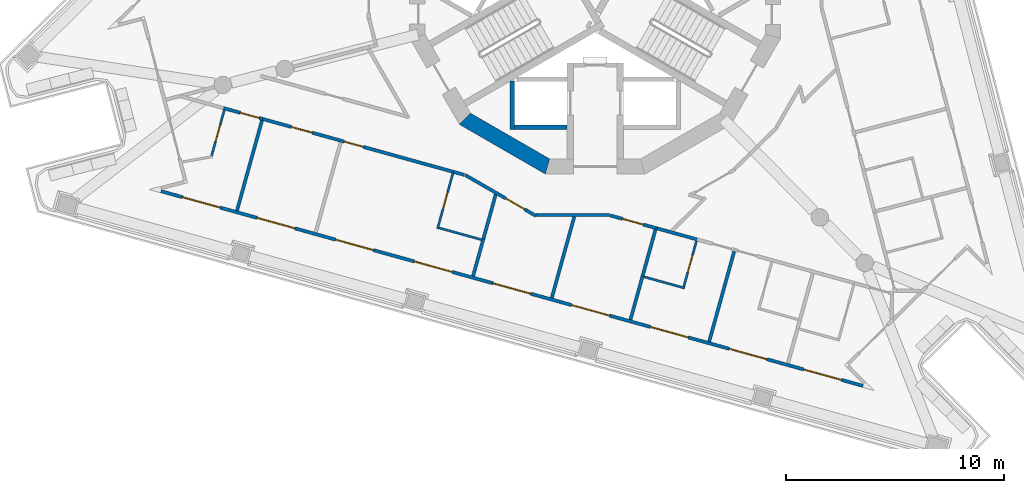
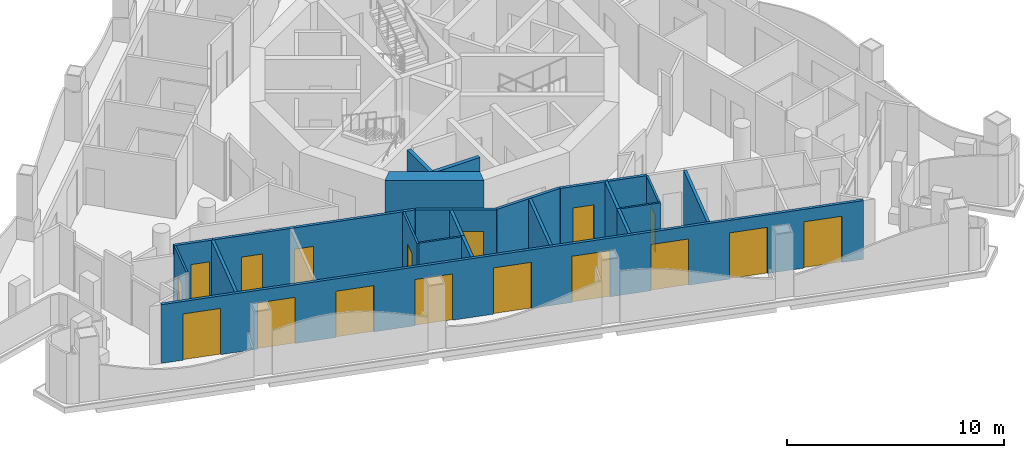
# One storey, part 2 of 14: 23 walls, 17 doors, 17 openings.
"""IFC4 building model written with IfcOpenShell, lengths in metres."""

from ifc_helpers import new_model, si_unit, direction, frame, frame_2d, origin, place, context, subcontext, project, spatial, polyline, rectangle, outline, extrude, material, layer, layer_set, type_object, element, fill, save


model = new_model("IFC4")

# Units and contexts
model_context = context("Model", 3, precision=1e-05, world=origin(), true_north=direction((0.0, 1.0)))
body_context = subcontext(model_context, "Body", "Model", "MODEL_VIEW")
ifc_project = project(units=[si_unit("LENGTHUNIT", "METRE"), si_unit("AREAUNIT", "SQUARE_METRE"), si_unit("VOLUMEUNIT", "CUBIC_METRE"), si_unit("PLANEANGLEUNIT", "RADIAN"), si_unit("MASSUNIT", "GRAM", prefix="KILO")], contexts=[model_context])

# Site, building, storey
site_placement = place(None, origin())
site = spatial("IfcSite", under=ifc_project, at=site_placement, CompositionType="ELEMENT")
building_placement = place(site_placement, origin())
building = spatial("IfcBuilding", under=site, at=building_placement, Name="Trine Commons Tower", CompositionType="ELEMENT")
storey_placement = place(building_placement, frame((0.0, 0.0, 249.300048828125)))
storey = spatial("IfcBuildingStorey", under=building, at=storey_placement, Name="L65", CompositionType="ELEMENT", Elevation=249.300048828125)

# Wall, openings, doors
ifc_material_1 = material(Name="Aluminium-framed insulated wall panel", Category="aluminium")
ifc_layer_1 = layer(ifc_material_1, 0.14990234375)
ifc_layer_set_1 = layer_set([ifc_layer_1], Name="Aluminium-framed insulated wall panel")
wall_type_1 = type_object("IfcWallType", Name="Glazed frame wall 150, EI 60", PredefinedType="SOLIDWALL", material=ifc_layer_set_1)
wall_1_placement = place(storey_placement, frame((92.4189453125, 44.2548828125, 0.0), z_axis=(0.0, 0.0, 1.0), x_axis=(-0.963630586427, 0.267237895708, 0.0)))
wall_1 = element("IfcWall", 1, at=wall_1_placement, inside=storey, type_object=wall_type_1, Name="Glazed frame wall F3", PredefinedType="SOLIDWALL", context=body_context, shape_type="SweptSolid", body=[
    extrude(outline(polyline([(0.1494140625, 0.074951171875), (0.1494140625, -0.074951171875), (33.536865234375, -0.074951171875), (33.536865234375, 0.074951171875), (0.1494140625, 0.074951171875)])), origin(), (0.0, 0.0, 1.0), 3.300048828125),
])
opening_1_placement = place(wall_1_placement, frame((1.17138671875, 0.0, 0.0)))
opening_1 = element("IfcOpeningElement", 2, at=opening_1_placement, cuts=wall_1, Name="Opening BD-7F3-01", PredefinedType="OPENING", context=body_context, shape_type="SweptSolid", body=[
    extrude(rectangle(XDim=1.800048828125, YDim=2.60009765625, at=frame_2d((0.89990234375, 1.300048828125))), frame((0.0, 0.0849609375, 0.0), z_axis=(0.0, -1.0, 0.0), x_axis=(1.0, 0.0, 0.0)), (0.0, 0.0, 1.0), 0.169921875),
])
opening_2_placement = place(wall_1_placement, frame((4.71435546875, 0.0, 0.0)))
opening_2 = element("IfcOpeningElement", 3, at=opening_2_placement, cuts=wall_1, Name="Opening BD-7F3-02", PredefinedType="OPENING", context=body_context, shape_type="SweptSolid", body=[
    extrude(rectangle(XDim=1.800048828125, YDim=2.60009765625, at=frame_2d((0.89990234375, 1.300048828125))), frame((0.0, 0.0849609375, 0.0), z_axis=(0.0, -1.0, 0.0), x_axis=(1.0, 0.0, 0.0)), (0.0, 0.0, 1.0), 0.169921875),
])
opening_3_placement = place(wall_1_placement, frame((8.457275390625, 0.0, 0.0)))
opening_3 = element("IfcOpeningElement", 4, at=opening_3_placement, cuts=wall_1, Name="Opening BD-7F3-03", PredefinedType="OPENING", context=body_context, shape_type="SweptSolid", body=[
    extrude(rectangle(XDim=1.800048828125, YDim=2.60009765625, at=frame_2d((0.89990234375, 1.300048828125))), frame((0.0, 0.0849609375, 0.0), z_axis=(0.0, -1.0, 0.0), x_axis=(1.0, 0.0, 0.0)), (0.0, 0.0, 1.0), 0.169921875),
])
opening_4_placement = place(wall_1_placement, frame((12.2001953125, 0.0, 0.0)))
opening_4 = element("IfcOpeningElement", 5, at=opening_4_placement, cuts=wall_1, Name="Opening BD-7F3-04", PredefinedType="OPENING", context=body_context, shape_type="SweptSolid", body=[
    extrude(rectangle(XDim=1.800048828125, YDim=2.60009765625, at=frame_2d((0.89990234375, 1.300048828125))), frame((0.0, 0.0849609375, 0.0), z_axis=(0.0, -1.0, 0.0), x_axis=(1.0, 0.0, 0.0)), (0.0, 0.0, 1.0), 0.169921875),
])
opening_5_placement = place(wall_1_placement, frame((15.943115234375, 0.0, 0.0)))
opening_5 = element("IfcOpeningElement", 6, at=opening_5_placement, cuts=wall_1, Name="Opening BD-7F3-05", PredefinedType="OPENING", context=body_context, shape_type="SweptSolid", body=[
    extrude(rectangle(XDim=1.800048828125, YDim=2.60009765625, at=frame_2d((0.89990234375, 1.300048828125))), frame((0.0, 0.0849609375, 0.0), z_axis=(0.0, -1.0, 0.0), x_axis=(1.0, 0.0, 0.0)), (0.0, 0.0, 1.0), 0.169921875),
])
opening_6_placement = place(wall_1_placement, frame((19.68603515625, 0.0, 0.0)))
opening_6 = element("IfcOpeningElement", 7, at=opening_6_placement, cuts=wall_1, Name="Opening BD-7F3-06", PredefinedType="OPENING", context=body_context, shape_type="SweptSolid", body=[
    extrude(rectangle(XDim=1.800048828125, YDim=2.60009765625, at=frame_2d((0.89990234375, 1.300048828125))), frame((0.0, 0.0849609375, 0.0), z_axis=(0.0, -1.0, 0.0), x_axis=(1.0, 0.0, 0.0)), (0.0, 0.0, 1.0), 0.169921875),
])
opening_7_placement = place(wall_1_placement, frame((23.428955078125, 0.0, 0.0)))
opening_7 = element("IfcOpeningElement", 8, at=opening_7_placement, cuts=wall_1, Name="Opening BD-7F3-07", PredefinedType="OPENING", context=body_context, shape_type="SweptSolid", body=[
    extrude(rectangle(XDim=1.800048828125, YDim=2.60009765625, at=frame_2d((0.89990234375, 1.300048828125))), frame((0.0, 0.0849609375, 0.0), z_axis=(0.0, -1.0, 0.0), x_axis=(1.0, 0.0, 0.0)), (0.0, 0.0, 1.0), 0.169921875),
])
opening_8_placement = place(wall_1_placement, frame((27.171875, 0.0, 0.0)))
opening_8 = element("IfcOpeningElement", 9, at=opening_8_placement, cuts=wall_1, Name="Opening BD-7F3-08", PredefinedType="OPENING", context=body_context, shape_type="SweptSolid", body=[
    extrude(rectangle(XDim=1.800048828125, YDim=2.60009765625, at=frame_2d((0.89990234375, 1.300048828125))), frame((0.0, 0.0849609375, 0.0), z_axis=(0.0, -1.0, 0.0), x_axis=(1.0, 0.0, 0.0)), (0.0, 0.0, 1.0), 0.169921875),
])
opening_9_placement = place(wall_1_placement, frame((30.714599609375, 0.0, 0.0)))
opening_9 = element("IfcOpeningElement", 10, at=opening_9_placement, cuts=wall_1, Name="Opening BD-7F3-09", PredefinedType="OPENING", context=body_context, shape_type="SweptSolid", body=[
    extrude(rectangle(XDim=1.800048828125, YDim=2.60009765625, at=frame_2d((0.89990234375, 1.300048828125))), frame((0.0, 0.0849609375, 0.0), z_axis=(0.0, -1.0, 0.0), x_axis=(1.0, 0.0, 0.0)), (0.0, 0.0, 1.0), 0.169921875),
])
ifc_material_2 = material(Name="Anodised aluminium frame with double glazing", Category="aluminium")
door_type_1 = type_object("IfcDoorType", Name="Sliding loggia door 1800x2600", OperationType="SLIDING_TO_LEFT", PredefinedType="DOOR", material=ifc_material_2)
door_1_placement = place(opening_1_placement, origin())
door_1 = element("IfcDoor", 11, at=door_1_placement, inside=storey, type_object=door_type_1, Name="Loggia door F3 1", OperationType="SLIDING_TO_LEFT", OverallHeight=2.60009765625, OverallWidth=1.800048828125, PredefinedType="DOOR", context=body_context, shape_type="SweptSolid", body=[
    extrude(rectangle(XDim=1.800048828125, YDim=2.60009765625, at=frame_2d((0.89990234375, 1.300048828125))), frame((0.0, 0.02490234375, 0.0), z_axis=(0.0, -1.0, 0.0), x_axis=(1.0, 0.0, 0.0)), (0.0, 0.0, 1.0), 0.050048828125),
])
fill(opening_1, door_1)
door_2_placement = place(opening_2_placement, origin())
door_2 = element("IfcDoor", 12, at=door_2_placement, inside=storey, type_object=door_type_1, Name="Loggia door F3 2", OperationType="SLIDING_TO_LEFT", OverallHeight=2.60009765625, OverallWidth=1.800048828125, PredefinedType="DOOR", context=body_context, shape_type="SweptSolid", body=[
    extrude(rectangle(XDim=1.800048828125, YDim=2.60009765625, at=frame_2d((0.89990234375, 1.300048828125))), frame((0.0, 0.02490234375, 0.0), z_axis=(0.0, -1.0, 0.0), x_axis=(1.0, 0.0, 0.0)), (0.0, 0.0, 1.0), 0.050048828125),
])
fill(opening_2, door_2)
door_3_placement = place(opening_3_placement, origin())
door_3 = element("IfcDoor", 13, at=door_3_placement, inside=storey, type_object=door_type_1, Name="Loggia door F3 3", OperationType="SLIDING_TO_LEFT", OverallHeight=2.60009765625, OverallWidth=1.800048828125, PredefinedType="DOOR", context=body_context, shape_type="SweptSolid", body=[
    extrude(rectangle(XDim=1.800048828125, YDim=2.60009765625, at=frame_2d((0.89990234375, 1.300048828125))), frame((0.0, 0.02490234375, 0.0), z_axis=(0.0, -1.0, 0.0), x_axis=(1.0, 0.0, 0.0)), (0.0, 0.0, 1.0), 0.050048828125),
])
fill(opening_3, door_3)
door_4_placement = place(opening_4_placement, origin())
door_4 = element("IfcDoor", 14, at=door_4_placement, inside=storey, type_object=door_type_1, Name="Loggia door F3 4", OperationType="SLIDING_TO_LEFT", OverallHeight=2.60009765625, OverallWidth=1.800048828125, PredefinedType="DOOR", context=body_context, shape_type="SweptSolid", body=[
    extrude(rectangle(XDim=1.800048828125, YDim=2.60009765625, at=frame_2d((0.89990234375, 1.300048828125))), frame((0.0, 0.02490234375, 0.0), z_axis=(0.0, -1.0, 0.0), x_axis=(1.0, 0.0, 0.0)), (0.0, 0.0, 1.0), 0.050048828125),
])
fill(opening_4, door_4)
door_5_placement = place(opening_5_placement, origin())
door_5 = element("IfcDoor", 15, at=door_5_placement, inside=storey, type_object=door_type_1, Name="Loggia door F3 5", OperationType="SLIDING_TO_LEFT", OverallHeight=2.60009765625, OverallWidth=1.800048828125, PredefinedType="DOOR", context=body_context, shape_type="SweptSolid", body=[
    extrude(rectangle(XDim=1.800048828125, YDim=2.60009765625, at=frame_2d((0.89990234375, 1.300048828125))), frame((0.0, 0.02490234375, 0.0), z_axis=(0.0, -1.0, 0.0), x_axis=(1.0, 0.0, 0.0)), (0.0, 0.0, 1.0), 0.050048828125),
])
fill(opening_5, door_5)
door_6_placement = place(opening_6_placement, origin())
door_6 = element("IfcDoor", 16, at=door_6_placement, inside=storey, type_object=door_type_1, Name="Loggia door F3 6", OperationType="SLIDING_TO_LEFT", OverallHeight=2.60009765625, OverallWidth=1.800048828125, PredefinedType="DOOR", context=body_context, shape_type="SweptSolid", body=[
    extrude(rectangle(XDim=1.800048828125, YDim=2.60009765625, at=frame_2d((0.89990234375, 1.300048828125))), frame((0.0, 0.02490234375, 0.0), z_axis=(0.0, -1.0, 0.0), x_axis=(1.0, 0.0, 0.0)), (0.0, 0.0, 1.0), 0.050048828125),
])
fill(opening_6, door_6)
door_7_placement = place(opening_7_placement, origin())
door_7 = element("IfcDoor", 17, at=door_7_placement, inside=storey, type_object=door_type_1, Name="Loggia door F3 7", OperationType="SLIDING_TO_LEFT", OverallHeight=2.60009765625, OverallWidth=1.800048828125, PredefinedType="DOOR", context=body_context, shape_type="SweptSolid", body=[
    extrude(rectangle(XDim=1.800048828125, YDim=2.60009765625, at=frame_2d((0.89990234375, 1.300048828125))), frame((0.0, 0.02490234375, 0.0), z_axis=(0.0, -1.0, 0.0), x_axis=(1.0, 0.0, 0.0)), (0.0, 0.0, 1.0), 0.050048828125),
])
fill(opening_7, door_7)
door_8_placement = place(opening_8_placement, origin())
door_8 = element("IfcDoor", 18, at=door_8_placement, inside=storey, type_object=door_type_1, Name="Loggia door F3 8", OperationType="SLIDING_TO_LEFT", OverallHeight=2.60009765625, OverallWidth=1.800048828125, PredefinedType="DOOR", context=body_context, shape_type="SweptSolid", body=[
    extrude(rectangle(XDim=1.800048828125, YDim=2.60009765625, at=frame_2d((0.89990234375, 1.300048828125))), frame((0.0, 0.02490234375, 0.0), z_axis=(0.0, -1.0, 0.0), x_axis=(1.0, 0.0, 0.0)), (0.0, 0.0, 1.0), 0.050048828125),
])
fill(opening_8, door_8)
door_9_placement = place(opening_9_placement, origin())
door_9 = element("IfcDoor", 19, at=door_9_placement, inside=storey, type_object=door_type_1, Name="Loggia door F3 9", OperationType="SLIDING_TO_LEFT", OverallHeight=2.60009765625, OverallWidth=1.800048828125, PredefinedType="DOOR", context=body_context, shape_type="SweptSolid", body=[
    extrude(rectangle(XDim=1.800048828125, YDim=2.60009765625, at=frame_2d((0.89990234375, 1.300048828125))), frame((0.0, 0.02490234375, 0.0), z_axis=(0.0, -1.0, 0.0), x_axis=(1.0, 0.0, 0.0)), (0.0, 0.0, 1.0), 0.050048828125),
])
fill(opening_9, door_9)

# Walls
ifc_material_3 = material(Name="Concrete C50/60", Category="concrete")
ifc_layer_2 = layer(ifc_material_3, 0.699951171875)
ifc_layer_set_2 = layer_set([ifc_layer_2], Name="Concrete C50/60")
wall_type_2 = type_object("IfcWallType", Name="RC shear wall 700 mm, C50/60", PredefinedType="SHEAR", material=ifc_layer_set_2)
wall_2_placement = place(storey_placement, frame((73.952392578125, 56.58056640625, 0.0), z_axis=(0.0, 0.0, 1.0), x_axis=(0.866034756103, -0.499983800959, 0.0)))
element("IfcWall", 20, at=wall_2_placement, inside=storey, type_object=wall_type_2, Name="Core wall CWG-09 L65", PredefinedType="SHEAR", context=body_context, shape_type="SweptSolid", body=[
    extrude(outline(polyline([(0.0, -0.35009765625), (4.55517578125, -0.35009765625), (4.36767578125, 0.35009765625), (0.1875, 0.35009765625), (0.0, -0.35009765625)])), origin(), (0.0, 0.0, 1.0), 3.599853515625),
])
ifc_material_4 = material(Name="Fire-rated gypsum shaft wall system")
ifc_layer_3 = layer(ifc_material_4, 0.199951171875)
ifc_layer_set_3 = layer_set([ifc_layer_3], Name="Fire-rated gypsum shaft wall system")
wall_type_3 = type_object("IfcWallType", Name="Shaft wall 200 mm, EI 120", PredefinedType="PARTITIONING", material=ifc_layer_set_3)
wall_3_placement = place(storey_placement, frame((76.199951171875, 58.257080078125, 0.0), z_axis=(0.0, 0.0, 1.0), x_axis=(0.0, -1.0, 0.0)))
element("IfcWall", 21, at=wall_3_placement, inside=storey, type_object=wall_type_3, Name="Shaft wall L65", PredefinedType="PARTITIONING", context=body_context, shape_type="SweptSolid", body=[
    extrude(rectangle(XDim=2.20703125, YDim=0.199951171875, at=frame_2d((1.103515625, 0.0))), origin(), (0.0, 0.0, 1.0), 3.300048828125),
])
wall_4_placement = place(storey_placement, frame((78.699951171875, 56.14990234375, 0.0), z_axis=(0.0, 0.0, 1.0), x_axis=(-1.0, 0.0, 0.0)))
element("IfcWall", 22, at=wall_4_placement, inside=storey, type_object=wall_type_3, Name="Shaft wall L65", PredefinedType="PARTITIONING", context=body_context, shape_type="SweptSolid", body=[
    extrude(rectangle(XDim=2.39990234375, YDim=0.199951171875, at=frame_2d((1.199951171875, 0.0))), origin(), (0.0, 0.0, 1.0), 3.300048828125),
])

# Wall, opening, door
ifc_material_5 = material(Name="Gypsum plasterboard on steel stud", Category="steel")
ifc_layer_4 = layer(ifc_material_5, 0.14990234375)
ifc_layer_set_4 = layer_set([ifc_layer_4], Name="Gypsum plasterboard on steel stud")
wall_type_4 = type_object("IfcWallType", Name="Unit and corridor wall 150 mm, EI 60", PredefinedType="PARTITIONING", material=ifc_layer_set_4)
wall_5_placement = place(storey_placement, frame((62.9697265625, 57.0244140625, 0.0), z_axis=(0.0, 0.0, 1.0), x_axis=(0.963687744937, -0.267031702723, 0.0)))
wall_5 = element("IfcWall", 23, at=wall_5_placement, inside=storey, type_object=wall_type_4, Name="Partition 006", PredefinedType="PARTITIONING", context=body_context, shape_type="SweptSolid", body=[
    extrude(rectangle(XDim=1.851318359375, YDim=0.14990234375, at=frame_2d((0.92578125, 0.0))), origin(), (0.0, 0.0, 1.0), 3.300048828125),
])
opening_10_placement = place(wall_5_placement, frame((0.79736328125, 0.0, 0.0)))
opening_10 = element("IfcOpeningElement", 24, at=opening_10_placement, cuts=wall_5, Name="Opening D-7B23", PredefinedType="OPENING", context=body_context, shape_type="SweptSolid", body=[
    extrude(rectangle(XDim=0.89990234375, YDim=2.10009765625, at=frame_2d((0.449951171875, 1.050048828125))), frame((0.0, 0.0849609375, 0.0), z_axis=(0.0, -1.0, 0.0), x_axis=(1.0, 0.0, 0.0)), (0.0, 0.0, 1.0), 0.169921875),
])
ifc_material_6 = material(Name="Timber fire door set", Category="wood")
door_type_2 = type_object("IfcDoorType", Name="Bedroom door 900 x 2100, FD30S", OperationType="NOTDEFINED", PredefinedType="DOOR", material=ifc_material_6)
door_10_placement = place(opening_10_placement, frame((0.89990234375, 0.0, 0.0), z_axis=(0.0, 0.0, 1.0), x_axis=(-1.0, 0.0, 0.0)))
door_10 = element("IfcDoor", 25, at=door_10_placement, inside=storey, type_object=door_type_2, Name="Door D-7B23", OperationType="SINGLE_SWING_LEFT", OverallHeight=2.10009765625, OverallWidth=0.89990234375, PredefinedType="DOOR", context=body_context, shape_type="SweptSolid", body=[
    extrude(rectangle(XDim=0.89990234375, YDim=2.10009765625, at=frame_2d((0.449951171875, 1.050048828125))), frame((0.0, 0.02490234375, 0.0), z_axis=(0.0, -1.0, 0.0), x_axis=(1.0, 0.0, 0.0)), (0.0, 0.0, 1.0), 0.050048828125),
])
fill(opening_10, door_10)

# Wall
wall_6_placement = place(storey_placement, frame((63.584716796875, 52.32958984375, 0.0), z_axis=(0.0, 0.0, 1.0), x_axis=(0.267270648008, 0.963621502828, 0.0)))
element("IfcWall", 26, at=wall_6_placement, inside=storey, type_object=wall_type_4, Name="Partition 008", PredefinedType="PARTITIONING", context=body_context, shape_type="SweptSolid", body=[
    extrude(rectangle(XDim=4.284912109375, YDim=0.14990234375, at=frame_2d((2.142578125, 0.0))), origin(), (0.0, 0.0, 1.0), 3.300048828125),
])

# Wall, openings, doors
wall_7_placement = place(storey_placement, frame((64.74609375, 56.531982421875, 0.0), z_axis=(0.0, 0.0, 1.0), x_axis=(0.963636492765, -0.267216597184, 0.0)))
wall_7 = element("IfcWall", 27, at=wall_7_placement, inside=storey, type_object=wall_type_4, Name="Partition 010", PredefinedType="PARTITIONING", context=body_context, shape_type="SweptSolid", body=[
    extrude(rectangle(XDim=9.136474609375, YDim=0.14990234375, at=frame_2d((4.568359375, 0.0))), origin(), (0.0, 0.0, 1.0), 3.300048828125),
])
opening_11_placement = place(wall_7_placement, frame((3.8974609375, 0.0, 0.0)))
opening_11 = element("IfcOpeningElement", 28, at=opening_11_placement, cuts=wall_7, Name="Opening D-7B21", PredefinedType="OPENING", context=body_context, shape_type="SweptSolid", body=[
    extrude(rectangle(XDim=0.89990234375, YDim=2.10009765625, at=frame_2d((0.449951171875, 1.050048828125))), frame((0.0, 0.0849609375, 0.0), z_axis=(0.0, -1.0, 0.0), x_axis=(1.0, 0.0, 0.0)), (0.0, 0.0, 1.0), 0.169921875),
])
opening_12_placement = place(wall_7_placement, frame((1.375732421875, 0.0, 0.0)))
opening_12 = element("IfcOpeningElement", 29, at=opening_12_placement, cuts=wall_7, Name="Opening D-7B22", PredefinedType="OPENING", context=body_context, shape_type="SweptSolid", body=[
    extrude(rectangle(XDim=1.0, YDim=2.10009765625, at=frame_2d((0.5, 1.050048828125))), frame((0.0, 0.0849609375, 0.0), z_axis=(0.0, -1.0, 0.0), x_axis=(1.0, 0.0, 0.0)), (0.0, 0.0, 1.0), 0.169921875),
])
ifc_material_7 = material(Name="Painted timber", Category="wood")
door_type_3 = type_object("IfcDoorType", Name="Amenity room door 1000 x 2100, NOT RATED", OperationType="NOTDEFINED", PredefinedType="DOOR", material=ifc_material_7)
door_11_placement = place(opening_12_placement, frame((1.0, 0.0, 0.0), z_axis=(0.0, 0.0, 1.0), x_axis=(-1.0, 0.0, 0.0)))
door_11 = element("IfcDoor", 30, at=door_11_placement, inside=storey, type_object=door_type_3, Name="Door D-7B22", OperationType="SINGLE_SWING_RIGHT", OverallHeight=2.10009765625, OverallWidth=1.0, PredefinedType="DOOR", context=body_context, shape_type="SweptSolid", body=[
    extrude(rectangle(XDim=1.0, YDim=2.10009765625, at=frame_2d((0.5, 1.050048828125))), frame((0.0, 0.02490234375, 0.0), z_axis=(0.0, -1.0, 0.0), x_axis=(1.0, 0.0, 0.0)), (0.0, 0.0, 1.0), 0.050048828125),
])
fill(opening_12, door_11)
door_12_placement = place(opening_11_placement, frame((0.89990234375, 0.0, 0.0), z_axis=(0.0, 0.0, 1.0), x_axis=(-1.0, 0.0, 0.0)))
door_12 = element("IfcDoor", 31, at=door_12_placement, inside=storey, type_object=door_type_2, Name="Door D-7B21", OperationType="SINGLE_SWING_RIGHT", OverallHeight=2.10009765625, OverallWidth=0.89990234375, PredefinedType="DOOR", context=body_context, shape_type="SweptSolid", body=[
    extrude(rectangle(XDim=0.89990234375, YDim=2.10009765625, at=frame_2d((0.449951171875, 1.050048828125))), frame((0.0, 0.02490234375, 0.0), z_axis=(0.0, -1.0, 0.0), x_axis=(1.0, 0.0, 0.0)), (0.0, 0.0, 1.0), 0.050048828125),
])
fill(opening_11, door_12)

# Wall
wall_8_placement = place(storey_placement, frame((73.4951171875, 54.10595703125, 0.0), z_axis=(0.0, 0.0, 1.0), x_axis=(0.963398829282, -0.268072183819, 0.0)))
element("IfcWall", 32, at=wall_8_placement, inside=storey, type_object=wall_type_4, Name="Partition 035", PredefinedType="PARTITIONING", context=body_context, shape_type="SweptSolid", body=[
    extrude(rectangle(XDim=0.529052734375, YDim=0.14990234375, at=frame_2d((0.2646484375, 0.0))), origin(), (0.0, 0.0, 1.0), 3.300048828125),
])

# Wall, opening, door
wall_9_placement = place(storey_placement, frame((74.049072265625, 53.9560546875, 0.0), z_axis=(0.0, 0.0, 1.0), x_axis=(0.865974487503, -0.500088179218, 0.0)))
wall_9 = element("IfcWall", 33, at=wall_9_placement, inside=storey, type_object=wall_type_4, Name="Partition 036", PredefinedType="PARTITIONING", context=body_context, shape_type="SweptSolid", body=[
    extrude(rectangle(XDim=3.736572265625, YDim=0.14990234375, at=frame_2d((1.8681640625, 0.0))), origin(), (0.0, 0.0, 1.0), 3.300048828125),
])
opening_13_placement = place(wall_9_placement, frame((2.146728515625, 0.0, 0.0)))
opening_13 = element("IfcOpeningElement", 34, at=opening_13_placement, cuts=wall_9, Name="Opening D-7B20", PredefinedType="OPENING", context=body_context, shape_type="SweptSolid", body=[
    extrude(rectangle(XDim=1.0, YDim=2.10009765625, at=frame_2d((0.5, 1.050048828125))), frame((0.0, 0.0849609375, 0.0), z_axis=(0.0, -1.0, 0.0), x_axis=(1.0, 0.0, 0.0)), (0.0, 0.0, 1.0), 0.169921875),
])
door_type_4 = type_object("IfcDoorType", Name="Toilet door 1000 x 2100, NOT RATED", OperationType="NOTDEFINED", PredefinedType="DOOR", material=ifc_material_7)
door_13_placement = place(opening_13_placement, frame((1.0, 0.0, 0.0), z_axis=(0.0, 0.0, 1.0), x_axis=(-1.0, 0.0, 0.0)))
door_13 = element("IfcDoor", 35, at=door_13_placement, inside=storey, type_object=door_type_4, Name="Door D-7B20", OperationType="SINGLE_SWING_LEFT", OverallHeight=2.10009765625, OverallWidth=1.0, PredefinedType="DOOR", context=body_context, shape_type="SweptSolid", body=[
    extrude(rectangle(XDim=1.0, YDim=2.10009765625, at=frame_2d((0.5, 1.050048828125))), frame((0.0, 0.02490234375, 0.0), z_axis=(0.0, -1.0, 0.0), x_axis=(1.0, 0.0, 0.0)), (0.0, 0.0, 1.0), 0.050048828125),
])
fill(opening_13, door_13)

# Walls
wall_10_placement = place(storey_placement, frame((74.40478515625, 49.32861328125, 0.0), z_axis=(0.0, 0.0, 1.0), x_axis=(0.267401148385, 0.963585297648, 0.0)))
element("IfcWall", 36, at=wall_10_placement, inside=storey, type_object=wall_type_4, Name="Partition 039", PredefinedType="PARTITIONING", context=body_context, shape_type="SweptSolid", body=[
    extrude(rectangle(XDim=1.763916015625, YDim=0.14990234375, at=frame_2d((0.8818359375, 0.0))), origin(), (0.0, 0.0, 1.0), 3.300048828125),
])
wall_11_placement = place(storey_placement, frame((74.861083984375, 50.971923828125, 0.0), z_axis=(0.0, 0.0, 1.0), x_axis=(0.267076384881, 0.963675362681, 0.0)))
element("IfcWall", 37, at=wall_11_placement, inside=storey, type_object=wall_type_4, Name="Partition 040", PredefinedType="PARTITIONING", context=body_context, shape_type="SweptSolid", body=[
    extrude(rectangle(XDim=2.1748046875, YDim=0.14990234375, at=frame_2d((1.08740234375, 0.0))), origin(), (0.0, 0.0, 1.0), 3.300048828125),
])
wall_12_placement = place(storey_placement, frame((77.294921875, 52.125, 0.0), z_axis=(0.0, 0.0, 1.0), x_axis=(1.0, 0.0, 0.0)))
element("IfcWall", 38, at=wall_12_placement, inside=storey, type_object=wall_type_4, Name="Partition 044", PredefinedType="PARTITIONING", context=body_context, shape_type="SweptSolid", body=[
    extrude(rectangle(XDim=3.35595703125, YDim=0.14990234375, at=frame_2d((1.677978515625, 0.0))), origin(), (0.0, 0.0, 1.0), 3.300048828125),
])
wall_13_placement = place(storey_placement, frame((78.01171875, 48.32861328125, 0.0), z_axis=(0.0, 0.0, 1.0), x_axis=(0.267337590954, 0.963602932988, 0.0)))
element("IfcWall", 39, at=wall_13_placement, inside=storey, type_object=wall_type_4, Name="Partition 045", PredefinedType="PARTITIONING", context=body_context, shape_type="SweptSolid", body=[
    extrude(rectangle(XDim=3.86474609375, YDim=0.14990234375, at=frame_2d((1.932373046875, 0.0))), origin(), (0.0, 0.0, 1.0), 3.300048828125),
])

# Wall, opening, door
wall_14_placement = place(storey_placement, frame((80.681884765625, 52.110107421875, 0.0), z_axis=(0.0, 0.0, 1.0), x_axis=(0.96358351927, -0.267407556722, 0.0)))
wall_14 = element("IfcWall", 40, at=wall_14_placement, inside=storey, type_object=wall_type_4, Name="Partition 049", PredefinedType="PARTITIONING", context=body_context, shape_type="SweptSolid", body=[
    extrude(rectangle(XDim=2.184814453125, YDim=0.14990234375, at=frame_2d((1.09228515625, 0.0))), origin(), (0.0, 0.0, 1.0), 3.300048828125),
])
opening_14_placement = place(wall_14_placement, frame((0.590576171875, 0.0, 0.0)))
opening_14 = element("IfcOpeningElement", 41, at=opening_14_placement, cuts=wall_14, Name="Opening D-7B19", PredefinedType="OPENING", context=body_context, shape_type="SweptSolid", body=[
    extrude(rectangle(XDim=1.0, YDim=2.10009765625, at=frame_2d((0.5, 1.050048828125))), frame((0.0, 0.0849609375, 0.0), z_axis=(0.0, -1.0, 0.0), x_axis=(1.0, 0.0, 0.0)), (0.0, 0.0, 1.0), 0.169921875),
])
door_14_placement = place(opening_14_placement, frame((1.0, 0.0, 0.0), z_axis=(0.0, 0.0, 1.0), x_axis=(-1.0, 0.0, 0.0)))
door_14 = element("IfcDoor", 42, at=door_14_placement, inside=storey, type_object=door_type_3, Name="Door D-7B19", OperationType="SINGLE_SWING_RIGHT", OverallHeight=2.10009765625, OverallWidth=1.0, PredefinedType="DOOR", context=body_context, shape_type="SweptSolid", body=[
    extrude(rectangle(XDim=1.0, YDim=2.10009765625, at=frame_2d((0.5, 1.050048828125))), frame((0.0, 0.02490234375, 0.0), z_axis=(0.0, -1.0, 0.0), x_axis=(1.0, 0.0, 0.0)), (0.0, 0.0, 1.0), 0.050048828125),
])
fill(opening_14, door_14)

# Walls
wall_15_placement = place(storey_placement, frame((81.61865234375, 47.327392578125, 0.0), z_axis=(0.0, 0.0, 1.0), x_axis=(0.267075474737, 0.963675614921, 0.0)))
element("IfcWall", 43, at=wall_15_placement, inside=storey, type_object=wall_type_4, Name="Partition 050", PredefinedType="PARTITIONING", context=body_context, shape_type="SweptSolid", body=[
    extrude(rectangle(XDim=2.060546875, YDim=0.14990234375, at=frame_2d((1.0302734375, 0.0))), origin(), (0.0, 0.0, 1.0), 3.300048828125),
])
wall_16_placement = place(storey_placement, frame((82.1689453125, 49.31298828125, 0.0), z_axis=(0.0, 0.0, 1.0), x_axis=(0.267490099625, 0.963560608681, 0.0)))
element("IfcWall", 44, at=wall_16_placement, inside=storey, type_object=wall_type_4, Name="Partition 053", PredefinedType="PARTITIONING", context=body_context, shape_type="SweptSolid", body=[
    extrude(rectangle(XDim=2.374755859375, YDim=0.14990234375, at=frame_2d((1.1875, 0.0))), origin(), (0.0, 0.0, 1.0), 3.300048828125),
])
wall_17_placement = place(storey_placement, frame((82.852294921875, 51.508056640625, 0.0), z_axis=(0.0, 0.0, 1.0), x_axis=(0.963942160186, -0.266111840805, 0.0)))
element("IfcWall", 45, at=wall_17_placement, inside=storey, type_object=wall_type_4, Name="Partition 057", PredefinedType="PARTITIONING", context=body_context, shape_type="SweptSolid", body=[
    extrude(rectangle(XDim=1.882568359375, YDim=0.14990234375, at=frame_2d((0.94140625, 0.0))), origin(), (0.0, 0.0, 1.0), 3.300048828125),
])
wall_18_placement = place(storey_placement, frame((85.2255859375, 46.327392578125, 0.0), z_axis=(0.0, 0.0, 1.0), x_axis=(0.267308876537, 0.963610898924, 0.0)))
element("IfcWall", 46, at=wall_18_placement, inside=storey, type_object=wall_type_4, Name="Partition 066", PredefinedType="PARTITIONING", context=body_context, shape_type="SweptSolid", body=[
    extrude(rectangle(XDim=4.285400390625, YDim=0.14990234375, at=frame_2d((2.142578125, 0.0))), origin(), (0.0, 0.0, 1.0), 3.300048828125),
])

# Wall, opening, door
ifc_layer_5 = layer(ifc_material_5, 0.10009765625)
ifc_layer_set_5 = layer_set([ifc_layer_5], Name="Gypsum plasterboard on steel stud")
wall_type_5 = type_object("IfcWallType", Name="Unit partition 100 mm, no rating", PredefinedType="PARTITIONING", material=ifc_layer_set_5)
wall_19_placement = place(storey_placement, frame((62.42138671875, 54.84130859375, 0.0), z_axis=(0.0, 0.0, 1.0), x_axis=(0.26688549759, 0.963728245501, 0.0)))
wall_19 = element("IfcWall", 47, at=wall_19_placement, inside=storey, type_object=wall_type_5, Name="Partition 005", PredefinedType="PARTITIONING", context=body_context, shape_type="SweptSolid", body=[
    extrude(rectangle(XDim=2.17529296875, YDim=0.10009765625, at=frame_2d((1.087646484375, 0.0))), origin(), (0.0, 0.0, 1.0), 3.300048828125),
])
opening_15_placement = place(wall_19_placement, frame((0.687744140625, 0.0, 0.0)))
opening_15 = element("IfcOpeningElement", 48, at=opening_15_placement, cuts=wall_19, Name="Opening D-7B39", PredefinedType="OPENING", context=body_context, shape_type="SweptSolid", body=[
    extrude(rectangle(XDim=0.800048828125, YDim=2.10009765625, at=frame_2d((0.39990234375, 1.050048828125))), frame((0.0, 0.06005859375, 0.0), z_axis=(0.0, -1.0, 0.0), x_axis=(1.0, 0.0, 0.0)), (0.0, 0.0, 1.0), 0.1201171875),
])
door_type_5 = type_object("IfcDoorType", Name="Internal door 800 x 2100, NOT RATED", OperationType="NOTDEFINED", PredefinedType="DOOR", material=ifc_material_7)
door_15_placement = place(opening_15_placement, frame((0.800048828125, 0.0, 0.0), z_axis=(0.0, 0.0, 1.0), x_axis=(-1.0, 0.0, 0.0)))
door_15 = element("IfcDoor", 49, at=door_15_placement, inside=storey, type_object=door_type_5, Name="Door D-7B39", OperationType="SINGLE_SWING_LEFT", OverallHeight=2.10009765625, OverallWidth=0.800048828125, PredefinedType="DOOR", context=body_context, shape_type="SweptSolid", body=[
    extrude(rectangle(XDim=0.800048828125, YDim=2.10009765625, at=frame_2d((0.39990234375, 1.050048828125))), frame((0.0, 0.02490234375, 0.0), z_axis=(0.0, -1.0, 0.0), x_axis=(1.0, 0.0, 0.0)), (0.0, 0.0, 1.0), 0.050048828125),
])
fill(opening_15, door_15)

wall_20_placement = place(storey_placement, frame((72.776611328125, 51.501708984375, 0.0), z_axis=(0.0, 0.0, 1.0), x_axis=(0.267159430854, 0.963652343175, 0.0)))
wall_20 = element("IfcWall", 50, at=wall_20_placement, inside=storey, type_object=wall_type_5, Name="Partition 033", PredefinedType="PARTITIONING", context=body_context, shape_type="SweptSolid", body=[
    extrude(rectangle(XDim=2.62548828125, YDim=0.10009765625, at=frame_2d((1.312744140625, 0.0))), origin(), (0.0, 0.0, 1.0), 3.300048828125),
])
opening_16_placement = place(wall_20_placement, frame((0.937744140625, 0.0, 0.0)))
opening_16 = element("IfcOpeningElement", 51, at=opening_16_placement, cuts=wall_20, Name="Opening D-7B38", PredefinedType="OPENING", context=body_context, shape_type="SweptSolid", body=[
    extrude(rectangle(XDim=0.800048828125, YDim=2.10009765625, at=frame_2d((0.39990234375, 1.050048828125))), frame((0.0, 0.06005859375, 0.0), z_axis=(0.0, -1.0, 0.0), x_axis=(1.0, 0.0, 0.0)), (0.0, 0.0, 1.0), 0.1201171875),
])
door_16_placement = place(opening_16_placement, origin())
door_16 = element("IfcDoor", 52, at=door_16_placement, inside=storey, type_object=door_type_5, Name="Door D-7B38", OperationType="SINGLE_SWING_RIGHT", OverallHeight=2.10009765625, OverallWidth=0.800048828125, PredefinedType="DOOR", context=body_context, shape_type="SweptSolid", body=[
    extrude(rectangle(XDim=0.800048828125, YDim=2.10009765625, at=frame_2d((0.39990234375, 1.050048828125))), frame((0.0, 0.02490234375, 0.0), z_axis=(0.0, -1.0, 0.0), x_axis=(1.0, 0.0, 0.0)), (0.0, 0.0, 1.0), 0.050048828125),
])
fill(opening_16, door_16)

# Walls
wall_21_placement = place(storey_placement, frame((72.838134765625, 51.53662109375, 0.0), z_axis=(0.0, 0.0, 1.0), x_axis=(0.963721434873, -0.266910089668, 0.0)))
element("IfcWall", 53, at=wall_21_placement, inside=storey, type_object=wall_type_5, Name="Partition 034", PredefinedType="PARTITIONING", context=body_context, shape_type="SweptSolid", body=[
    extrude(rectangle(XDim=2.025146484375, YDim=0.10009765625, at=frame_2d((1.0126953125, 0.0))), origin(), (0.0, 0.0, 1.0), 3.300048828125),
])
wall_22_placement = place(storey_placement, frame((82.2412109375, 49.29296875, 0.0), z_axis=(0.0, 0.0, 1.0), x_axis=(0.963634107358, -0.26722519929, 0.0)))
element("IfcWall", 54, at=wall_22_placement, inside=storey, type_object=wall_type_5, Name="Partition 054", PredefinedType="PARTITIONING", context=body_context, shape_type="SweptSolid", body=[
    extrude(rectangle(XDim=1.925048828125, YDim=0.10009765625, at=frame_2d((0.96240234375, 0.0))), origin(), (0.0, 0.0, 1.0), 3.300048828125),
])

# Wall, opening, door
wall_23_placement = place(storey_placement, frame((84.061279296875, 48.840087890625, 0.0), z_axis=(0.0, 0.0, 1.0), x_axis=(0.26738911175, 0.96358863781, 0.0)))
wall_23 = element("IfcWall", 55, at=wall_23_placement, inside=storey, type_object=wall_type_5, Name="Partition 061", PredefinedType="PARTITIONING", context=body_context, shape_type="SweptSolid", body=[
    extrude(rectangle(XDim=2.1748046875, YDim=0.10009765625, at=frame_2d((1.08740234375, 0.0))), origin(), (0.0, 0.0, 1.0), 3.300048828125),
])
opening_17_placement = place(wall_23_placement, frame((0.6875, 0.0, 0.0)))
opening_17 = element("IfcOpeningElement", 56, at=opening_17_placement, cuts=wall_23, Name="Opening D-7B37", PredefinedType="OPENING", context=body_context, shape_type="SweptSolid", body=[
    extrude(rectangle(XDim=0.800048828125, YDim=2.10009765625, at=frame_2d((0.39990234375, 1.050048828125))), frame((0.0, 0.06005859375, 0.0), z_axis=(0.0, -1.0, 0.0), x_axis=(1.0, 0.0, 0.0)), (0.0, 0.0, 1.0), 0.1201171875),
])
door_17_placement = place(opening_17_placement, frame((0.800048828125, 0.0, 0.0), z_axis=(0.0, 0.0, 1.0), x_axis=(-1.0, 0.0, 0.0)))
door_17 = element("IfcDoor", 57, at=door_17_placement, inside=storey, type_object=door_type_5, Name="Door D-7B37", OperationType="SINGLE_SWING_LEFT", OverallHeight=2.10009765625, OverallWidth=0.800048828125, PredefinedType="DOOR", context=body_context, shape_type="SweptSolid", body=[
    extrude(rectangle(XDim=0.800048828125, YDim=2.10009765625, at=frame_2d((0.39990234375, 1.050048828125))), frame((0.0, 0.02490234375, 0.0), z_axis=(0.0, -1.0, 0.0), x_axis=(1.0, 0.0, 0.0)), (0.0, 0.0, 1.0), 0.050048828125),
])
fill(opening_17, door_17)

save(model, "model.ifc")
